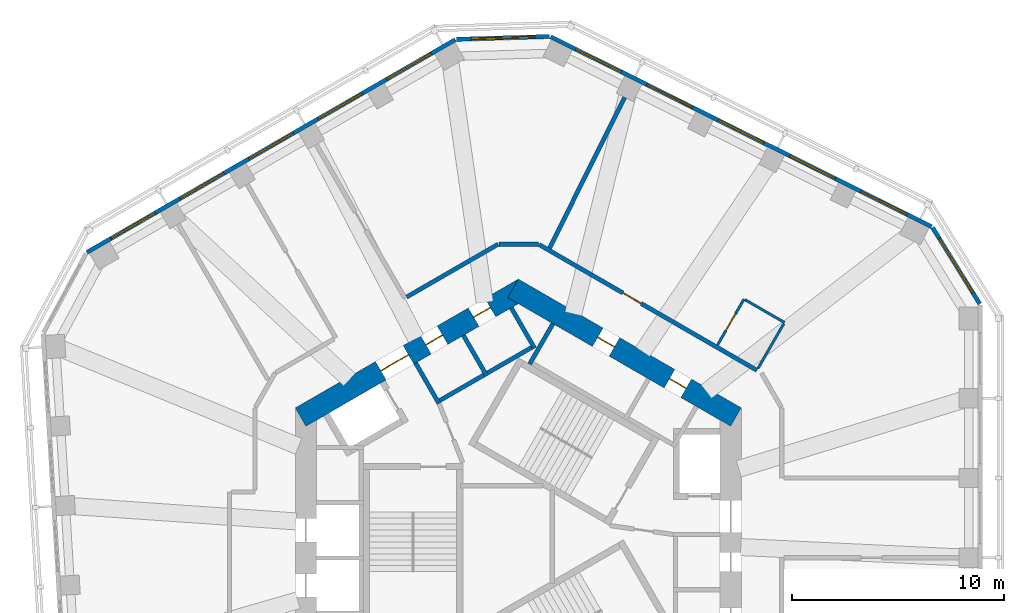
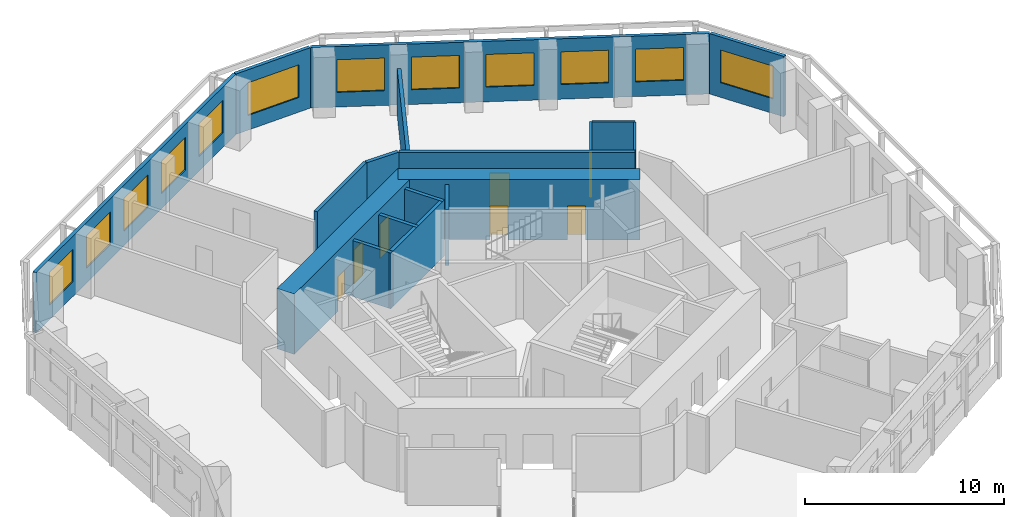
# One storey, part 7 of 10: 18 walls, 12 windows, 7 doors, 19 openings.
"""IFC4 building model written with IfcOpenShell, lengths in metres."""

from ifc_helpers import new_model, si_unit, direction, frame, frame_2d, origin, place, context, subcontext, project, spatial, rectangle, extrude, material, layer, layer_set, type_object, element, fill, save


model = new_model("IFC4")

# Units and contexts
model_context = context("Model", 3, precision=1e-05, world=origin(), true_north=direction((0.0, 1.0)))
body_context = subcontext(model_context, "Body", "Model", "MODEL_VIEW")
ifc_project = project(units=[si_unit("LENGTHUNIT", "METRE"), si_unit("AREAUNIT", "SQUARE_METRE"), si_unit("VOLUMEUNIT", "CUBIC_METRE"), si_unit("PLANEANGLEUNIT", "RADIAN"), si_unit("MASSUNIT", "GRAM", prefix="KILO")], contexts=[model_context])

# Site, building, storey
site_placement = place(None, origin())
site = spatial("IfcSite", under=ifc_project, at=site_placement, CompositionType="ELEMENT")
building_placement = place(site_placement, origin())
building = spatial("IfcBuilding", under=site, at=building_placement, Name="Vanh Sen Convention Tower", CompositionType="ELEMENT")
storey_placement = place(building_placement, frame((0.0, 0.0, 191.0)))
storey = spatial("IfcBuildingStorey", under=building, at=storey_placement, Name="L47", CompositionType="ELEMENT", Elevation=191.0)

# Wall, opening, door
ifc_material_1 = material(Name="Moisture-resistant gypsum board on steel studs", Category="steel")
ifc_layer_1 = layer(ifc_material_1, 0.1201171875)
ifc_layer_set_1 = layer_set([ifc_layer_1], Name="Moisture-resistant gypsum board on steel studs")
wall_type_1 = type_object("IfcWallType", Name="Bathroom partition 120", PredefinedType="PARTITIONING", material=ifc_layer_set_1)
wall_1_placement = place(storey_placement, frame((9.378173828125, 9.019287109375, 0.0), z_axis=(0.0, 0.0, 1.0), x_axis=(0.500004234368, 0.866022959057, 0.0)))
wall_1 = element("IfcWall", 1, at=wall_1_placement, inside=storey, type_object=wall_type_1, Name="Bathroom partition 120", PredefinedType="PARTITIONING", context=body_context, shape_type="SweptSolid", body=[
    extrude(rectangle(XDim=2.5, YDim=0.1201171875, at=frame_2d((1.25, 0.0))), origin(), (0.0, 0.0, 1.0), 3.419921875),
])
opening_1_placement = place(wall_1_placement, frame((0.800048828125, 0.0, 0.0)))
opening_1 = element("IfcOpeningElement", 2, at=opening_1_placement, cuts=wall_1, Name="Opening D47102", PredefinedType="OPENING", context=body_context, shape_type="SweptSolid", body=[
    extrude(rectangle(XDim=0.89990234375, YDim=2.10009765625, at=frame_2d((0.449951171875, 1.050048828125))), frame((0.0, 0.070068359375, 0.0), z_axis=(0.0, -1.0, 0.0), x_axis=(1.0, 0.0, 0.0)), (0.0, 0.0, 1.0), 0.14013671875),
])
ifc_material_2 = material(Name="Laminate door in steel frame", Category="steel")
door_type_1 = type_object("IfcDoorType", Name="Room internal door 900", OperationType="SINGLE_SWING_LEFT", PredefinedType="DOOR", material=ifc_material_2)
door_1_placement = place(opening_1_placement, origin())
door_1 = element("IfcDoor", 3, at=door_1_placement, inside=storey, type_object=door_type_1, Name="Internal room door D47102", OperationType="SINGLE_SWING_LEFT", OverallHeight=2.10009765625, OverallWidth=0.89990234375, PredefinedType="DOOR", context=body_context, shape_type="SweptSolid", body=[
    extrude(rectangle(XDim=0.89990234375, YDim=2.10009765625, at=frame_2d((0.449951171875, 1.050048828125))), frame((0.0, 0.02490234375, 0.0), z_axis=(0.0, -1.0, 0.0), x_axis=(1.0, 0.0, 0.0)), (0.0, 0.0, 1.0), 0.050048828125),
])
fill(opening_1, door_1)

# Walls
wall_2_placement = place(storey_placement, frame((10.68017578125, 11.154296875, 0.0), z_axis=(0.0, 0.0, 1.0), x_axis=(0.86600889856, -0.500028586798, 0.0)))
element("IfcWall", 4, at=wall_2_placement, inside=storey, type_object=wall_type_1, Name="Bathroom partition 120", PredefinedType="PARTITIONING", context=body_context, shape_type="SweptSolid", body=[
    extrude(rectangle(XDim=2.139892578125, YDim=0.1201171875, at=frame_2d((1.06982421875, 0.0))), origin(), (0.0, 0.0, 1.0), 3.419921875),
])
wall_3_placement = place(storey_placement, frame((12.50341796875, 10.0322265625, 0.0), z_axis=(0.0, 0.0, 1.0), x_axis=(-0.500002508028, -0.866023955769, 0.0)))
element("IfcWall", 5, at=wall_3_placement, inside=storey, type_object=wall_type_1, Name="Bathroom partition 120", PredefinedType="PARTITIONING", context=body_context, shape_type="SweptSolid", body=[
    extrude(rectangle(XDim=2.43994140625, YDim=0.1201171875, at=frame_2d((1.219970703125, 0.0))), origin(), (0.0, 0.0, 1.0), 3.419921875),
])

# Wall, openings, doors
ifc_material_3 = material(Name="Concrete C80/95", Category="concrete")
ifc_layer_2 = layer(ifc_material_3, 1.0)
ifc_layer_set_2 = layer_set([ifc_layer_2], Name="Concrete C80/95")
wall_type_2 = type_object("IfcWallType", Name="Core outer wall 1000 C80/95", PredefinedType="SHEAR", material=ifc_layer_set_2)
wall_4_placement = place(storey_placement, frame((10.25, 5.629150390625, 0.0), z_axis=(0.0, 0.0, 1.0), x_axis=(-0.866022616891, 0.50000482701, 0.0)))
wall_4 = element("IfcWall", 6, at=wall_4_placement, inside=storey, type_object=wall_type_2, Name="Core wall face NE L47", PredefinedType="SHEAR", context=body_context, shape_type="SweptSolid", body=[
    extrude(rectangle(XDim=12.12451171875, YDim=1.0, at=frame_2d((6.062255859375, 0.0))), origin(), (0.0, 0.0, 1.0), 3.699951171875),
])
opening_2_placement = place(wall_4_placement, frame((2.712158203125, 0.0, 0.0)))
opening_2 = element("IfcOpeningElement", 7, at=opening_2_placement, cuts=wall_4, Name="Opening D47012", PredefinedType="OPENING", context=body_context, shape_type="SweptSolid", body=[
    extrude(rectangle(XDim=0.89990234375, YDim=2.10009765625, at=frame_2d((0.449951171875, 1.050048828125))), frame((0.0, 0.510009765625, 0.0), z_axis=(0.0, -1.0, 0.0), x_axis=(1.0, 0.0, 0.0)), (0.0, 0.0, 1.0), 1.02001953125),
])
opening_3_placement = place(wall_4_placement, frame((6.6123046875, 0.0, 0.0)))
opening_3 = element("IfcOpeningElement", 8, at=opening_3_placement, cuts=wall_4, Name="Opening D47013", PredefinedType="OPENING", context=body_context, shape_type="SweptSolid", body=[
    extrude(rectangle(XDim=0.89990234375, YDim=2.10009765625, at=frame_2d((0.449951171875, 1.050048828125))), frame((0.0, 0.510009765625, 0.0), z_axis=(0.0, -1.0, 0.0), x_axis=(1.0, 0.0, 0.0)), (0.0, 0.0, 1.0), 1.02001953125),
])
ifc_material_4 = material(Name="Steel S355", Category="steel")
door_type_2 = type_object("IfcDoorType", Name="Plant door 900", OperationType="SINGLE_SWING_LEFT", PredefinedType="DOOR", material=ifc_material_4)
door_2_placement = place(opening_2_placement, origin())
door_2 = element("IfcDoor", 9, at=door_2_placement, inside=storey, type_object=door_type_2, Name="Plant door D47012", OperationType="SINGLE_SWING_LEFT", OverallHeight=2.10009765625, OverallWidth=0.89990234375, PredefinedType="DOOR", context=body_context, shape_type="SweptSolid", body=[
    extrude(rectangle(XDim=0.89990234375, YDim=2.10009765625, at=frame_2d((0.449951171875, 1.050048828125))), frame((0.0, 0.02490234375, 0.0), z_axis=(0.0, -1.0, 0.0), x_axis=(1.0, 0.0, 0.0)), (0.0, 0.0, 1.0), 0.050048828125),
])
fill(opening_2, door_2)
door_3_placement = place(opening_3_placement, origin())
door_3 = element("IfcDoor", 10, at=door_3_placement, inside=storey, type_object=door_type_2, Name="Plant door D47013", OperationType="SINGLE_SWING_LEFT", OverallHeight=2.10009765625, OverallWidth=0.89990234375, PredefinedType="DOOR", context=body_context, shape_type="SweptSolid", body=[
    extrude(rectangle(XDim=0.89990234375, YDim=2.10009765625, at=frame_2d((0.449951171875, 1.050048828125))), frame((0.0, 0.02490234375, 0.0), z_axis=(0.0, -1.0, 0.0), x_axis=(1.0, 0.0, 0.0)), (0.0, 0.0, 1.0), 0.050048828125),
])
fill(opening_3, door_3)

wall_5_placement = place(storey_placement, frame((0.25, 11.69140625, 0.0), z_axis=(0.0, 0.0, 1.0), x_axis=(-0.866022616891, -0.50000482701, 0.0)))
wall_5 = element("IfcWall", 11, at=wall_5_placement, inside=storey, type_object=wall_type_2, Name="Core wall face NW L47", PredefinedType="SHEAR", context=body_context, shape_type="SweptSolid", body=[
    extrude(rectangle(XDim=12.12451171875, YDim=1.0, at=frame_2d((6.062255859375, 0.0))), origin(), (0.0, 0.0, 1.0), 3.699951171875),
])
opening_4_placement = place(wall_5_placement, frame((6.26220703125, 0.0, 0.0)))
opening_4 = element("IfcOpeningElement", 12, at=opening_4_placement, cuts=wall_5, Name="Opening D47002", PredefinedType="OPENING", context=body_context, shape_type="SweptSolid", body=[
    extrude(rectangle(XDim=1.5, YDim=2.10009765625, at=frame_2d((0.75, 1.050048828125))), frame((0.0, 0.510009765625, 0.0), z_axis=(0.0, -1.0, 0.0), x_axis=(1.0, 0.0, 0.0)), (0.0, 0.0, 1.0), 1.02001953125),
])
opening_5_placement = place(wall_5_placement, frame((1.812255859375, 0.0, 0.0)))
opening_5 = element("IfcOpeningElement", 13, at=opening_5_placement, cuts=wall_5, Name="Opening D47014", PredefinedType="OPENING", context=body_context, shape_type="SweptSolid", body=[
    extrude(rectangle(XDim=0.89990234375, YDim=2.10009765625, at=frame_2d((0.449951171875, 1.050048828125))), frame((0.0, 0.510009765625, 0.0), z_axis=(0.0, -1.0, 0.0), x_axis=(1.0, 0.0, 0.0)), (0.0, 0.0, 1.0), 1.02001953125),
])
opening_6_placement = place(wall_5_placement, frame((4.412109375, 0.0, 0.0)))
opening_6 = element("IfcOpeningElement", 14, at=opening_6_placement, cuts=wall_5, Name="Opening D47015", PredefinedType="OPENING", context=body_context, shape_type="SweptSolid", body=[
    extrude(rectangle(XDim=0.89990234375, YDim=2.10009765625, at=frame_2d((0.449951171875, 1.050048828125))), frame((0.0, 0.510009765625, 0.0), z_axis=(0.0, -1.0, 0.0), x_axis=(1.0, 0.0, 0.0)), (0.0, 0.0, 1.0), 1.02001953125),
])
door_4_placement = place(opening_5_placement, origin())
door_4 = element("IfcDoor", 15, at=door_4_placement, inside=storey, type_object=door_type_2, Name="Plant door D47014", OperationType="SINGLE_SWING_LEFT", OverallHeight=2.10009765625, OverallWidth=0.89990234375, PredefinedType="DOOR", context=body_context, shape_type="SweptSolid", body=[
    extrude(rectangle(XDim=0.89990234375, YDim=2.10009765625, at=frame_2d((0.449951171875, 1.050048828125))), frame((0.0, 0.02490234375, 0.0), z_axis=(0.0, -1.0, 0.0), x_axis=(1.0, 0.0, 0.0)), (0.0, 0.0, 1.0), 0.050048828125),
])
fill(opening_5, door_4)
door_5_placement = place(opening_6_placement, origin())
door_5 = element("IfcDoor", 16, at=door_5_placement, inside=storey, type_object=door_type_2, Name="Plant door D47015", OperationType="SINGLE_SWING_LEFT", OverallHeight=2.10009765625, OverallWidth=0.89990234375, PredefinedType="DOOR", context=body_context, shape_type="SweptSolid", body=[
    extrude(rectangle(XDim=0.89990234375, YDim=2.10009765625, at=frame_2d((0.449951171875, 1.050048828125))), frame((0.0, 0.02490234375, 0.0), z_axis=(0.0, -1.0, 0.0), x_axis=(1.0, 0.0, 0.0)), (0.0, 0.0, 1.0), 0.050048828125),
])
fill(opening_6, door_5)
door_type_3 = type_object("IfcDoorType", Name="Stair lobby door 1500", OperationType="DOUBLE_DOOR_SINGLE_SWING", PredefinedType="DOOR", material=ifc_material_4)
door_6_placement = place(opening_4_placement, origin())
door_6 = element("IfcDoor", 17, at=door_6_placement, inside=storey, type_object=door_type_3, Name="Stair lobby door D47002", OperationType="DOUBLE_DOOR_SINGLE_SWING", OverallHeight=2.10009765625, OverallWidth=1.5, PredefinedType="DOOR", context=body_context, shape_type="SweptSolid", body=[
    extrude(rectangle(XDim=1.5, YDim=2.10009765625, at=frame_2d((0.75, 1.050048828125))), frame((0.0, 0.02490234375, 0.0), z_axis=(0.0, -1.0, 0.0), x_axis=(1.0, 0.0, 0.0)), (0.0, 0.0, 1.0), 0.050048828125),
])
fill(opening_4, door_6)

# Walls
ifc_material_5 = material(Name="Gypsum board on steel studs with mineral wool", Category="steel")
ifc_layer_3 = layer(ifc_material_5, 0.199951171875)
ifc_layer_set_3 = layer_set([ifc_layer_3], Name="Gypsum board on steel studs with mineral wool")
wall_type_3 = type_object("IfcWallType", Name="Corridor partition wall 200", PredefinedType="PARTITIONING", material=ifc_layer_set_3)
wall_6_placement = place(storey_placement, frame((-0.949951171875, 13.769775390625, 0.0), z_axis=(0.0, 0.0, 1.0), x_axis=(-0.866036689987, -0.499980451214, 0.0)))
element("IfcWall", 18, at=wall_6_placement, inside=storey, type_object=wall_type_3, Name="Corridor partition wall 200", PredefinedType="PARTITIONING", context=body_context, shape_type="SweptSolid", body=[
    extrude(rectangle(XDim=4.969482421875, YDim=0.199951171875, at=frame_2d((2.48486328125, 0.0))), origin(), (0.0, 0.0, 1.0), 3.419921875),
])
wall_7_placement = place(storey_placement, frame((0.949951171875, 13.769775390625, 0.0), z_axis=(0.0, 0.0, 1.0), x_axis=(-1.0, 0.0, 0.0)))
element("IfcWall", 19, at=wall_7_placement, inside=storey, type_object=wall_type_3, Name="Corridor partition wall 200", PredefinedType="PARTITIONING", context=body_context, shape_type="SweptSolid", body=[
    extrude(rectangle(XDim=1.85986328125, YDim=0.199951171875, at=frame_2d((0.929931640625, 0.0))), origin(), (0.0, 0.0, 1.0), 3.419921875),
])

# Wall, opening, door
wall_8_placement = place(storey_placement, frame((11.2333984375, 7.83251953125, 0.0), z_axis=(0.0, 0.0, 1.0), x_axis=(-0.866021713988, 0.50000639086, 0.0)))
wall_8 = element("IfcWall", 20, at=wall_8_placement, inside=storey, type_object=wall_type_3, Name="Corridor partition wall 200", PredefinedType="PARTITIONING", context=body_context, shape_type="SweptSolid", body=[
    extrude(rectangle(XDim=11.834228515625, YDim=0.199951171875, at=frame_2d((5.9169921875, 0.0))), origin(), (0.0, 0.0, 1.0), 3.419921875),
])
opening_7_placement = place(wall_8_placement, frame((6.2880859375, 0.0, 0.0)))
opening_7 = element("IfcOpeningElement", 21, at=opening_7_placement, cuts=wall_8, Name="Opening D47101", PredefinedType="OPENING", context=body_context, shape_type="SweptSolid", body=[
    extrude(rectangle(XDim=1.0, YDim=2.10009765625, at=frame_2d((0.5, 1.050048828125))), frame((0.0, 0.10986328125, 0.0), z_axis=(0.0, -1.0, 0.0), x_axis=(1.0, 0.0, 0.0)), (0.0, 0.0, 1.0), 0.219970703125),
])
ifc_material_6 = material(Name="Glazed fire door in steel frame", Category="steel")
door_type_4 = type_object("IfcDoorType", Name="Tenant entrance door 1000", OperationType="SINGLE_SWING_LEFT", PredefinedType="DOOR", material=ifc_material_6)
door_7_placement = place(opening_7_placement, origin())
door_7 = element("IfcDoor", 22, at=door_7_placement, inside=storey, type_object=door_type_4, Name="Tenant suite entrance door D47101", OperationType="SINGLE_SWING_LEFT", OverallHeight=2.10009765625, OverallWidth=1.0, PredefinedType="DOOR", context=body_context, shape_type="SweptSolid", body=[
    extrude(rectangle(XDim=1.0, YDim=2.10009765625, at=frame_2d((0.5, 1.050048828125))), frame((0.0, 0.02490234375, 0.0), z_axis=(0.0, -1.0, 0.0), x_axis=(1.0, 0.0, 0.0)), (0.0, 0.0, 1.0), 0.050048828125),
])
fill(opening_7, door_7)

# Wall, opening, window
ifc_material_7 = material(Name="Insulated lightweight infill wall")
ifc_layer_4 = layer(ifc_material_7, 0.199951171875)
ifc_layer_set_4 = layer_set([ifc_layer_4], Name="Insulated lightweight infill wall")
wall_type_4 = type_object("IfcWallType", Name="External wall 200", PredefinedType="STANDARD", material=ifc_layer_set_4)
wall_9_placement = place(storey_placement, frame((21.735107421875, 10.9580078125, 0.0), z_axis=(0.0, 0.0, 1.0), x_axis=(-0.526213807775, 0.850352296702, 0.0)))
wall_9 = element("IfcWall", 23, at=wall_9_placement, inside=storey, type_object=wall_type_4, Name="External wall CH1 L47", PredefinedType="STANDARD", context=body_context, shape_type="SweptSolid", body=[
    extrude(rectangle(XDim=4.23828125, YDim=0.199951171875, at=frame_2d((2.119140625, 0.0))), origin(), (0.0, 0.0, 1.0), 3.699951171875),
])
opening_8_placement = place(wall_9_placement, frame((0.619140625, 0.0, 0.89990234375)))
opening_8 = element("IfcOpeningElement", 24, at=opening_8_placement, cuts=wall_9, Name="Opening WO2-CH11", PredefinedType="OPENING", context=body_context, shape_type="SweptSolid", body=[
    extrude(rectangle(XDim=3.0, YDim=2.0, at=frame_2d((1.5, 1.0))), frame((0.0, 0.10986328125, 0.0), z_axis=(0.0, -1.0, 0.0), x_axis=(1.0, 0.0, 0.0)), (0.0, 0.0, 1.0), 0.219970703125),
])
ifc_material_8 = material(Name="Aluminium frame with clear low-emissivity glass", Category="aluminium")
window_type_1 = type_object("IfcWindowType", Name="Office window 3000 x 2000", PartitioningType="SINGLE_PANEL", PredefinedType="WINDOW", material=ifc_material_8)
window_1_placement = place(opening_8_placement, origin())
window_1 = element("IfcWindow", 25, at=window_1_placement, inside=storey, type_object=window_type_1, Name="Window WO2-CH11", OverallHeight=2.0, OverallWidth=3.0, PartitioningType="SINGLE_PANEL", PredefinedType="WINDOW", context=body_context, shape_type="SweptSolid", body=[
    extrude(rectangle(XDim=3.0, YDim=2.0, at=frame_2d((1.5, 1.0))), frame((0.0, 0.030029296875, 0.0), z_axis=(0.0, -1.0, 0.0), x_axis=(1.0, 0.0, 0.0)), (0.0, 0.0, 1.0), 0.06005859375),
])
fill(opening_8, window_1)

# Wall, openings, windows
wall_10_placement = place(storey_placement, frame((19.46435546875, 14.598876953125, 0.0), z_axis=(0.0, 0.0, 1.0), x_axis=(-0.894935755043, 0.446195018289, 0.0)))
wall_10 = element("IfcWall", 26, at=wall_10_placement, inside=storey, type_object=wall_type_4, Name="External wall NE L47", PredefinedType="STANDARD", context=body_context, shape_type="SweptSolid", body=[
    extrude(rectangle(XDim=20.043701171875, YDim=0.199951171875, at=frame_2d((10.02197265625, 0.0))), origin(), (0.0, 0.0, 1.0), 3.699951171875),
])
opening_9_placement = place(wall_10_placement, frame((1.31298828125, 0.0, 0.89990234375)))
opening_9 = element("IfcOpeningElement", 27, at=opening_9_placement, cuts=wall_10, Name="Opening WO1-NE1", PredefinedType="OPENING", context=body_context, shape_type="SweptSolid", body=[
    extrude(rectangle(XDim=2.39990234375, YDim=2.0, at=frame_2d((1.199951171875, 1.0))), frame((0.0, 0.10986328125, 0.0), z_axis=(0.0, -1.0, 0.0), x_axis=(1.0, 0.0, 0.0)), (0.0, 0.0, 1.0), 0.219970703125),
])
opening_10_placement = place(wall_10_placement, frame((5.06689453125, 0.0, 0.89990234375)))
opening_10 = element("IfcOpeningElement", 28, at=opening_10_placement, cuts=wall_10, Name="Opening WO1-NE2", PredefinedType="OPENING", context=body_context, shape_type="SweptSolid", body=[
    extrude(rectangle(XDim=2.39990234375, YDim=2.0, at=frame_2d((1.199951171875, 1.0))), frame((0.0, 0.10986328125, 0.0), z_axis=(0.0, -1.0, 0.0), x_axis=(1.0, 0.0, 0.0)), (0.0, 0.0, 1.0), 0.219970703125),
])
opening_11_placement = place(wall_10_placement, frame((8.821044921875, 0.0, 0.89990234375)))
opening_11 = element("IfcOpeningElement", 29, at=opening_11_placement, cuts=wall_10, Name="Opening WO1-NE3", PredefinedType="OPENING", context=body_context, shape_type="SweptSolid", body=[
    extrude(rectangle(XDim=2.39990234375, YDim=2.0, at=frame_2d((1.199951171875, 1.0))), frame((0.0, 0.10986328125, 0.0), z_axis=(0.0, -1.0, 0.0), x_axis=(1.0, 0.0, 0.0)), (0.0, 0.0, 1.0), 0.219970703125),
])
opening_12_placement = place(wall_10_placement, frame((12.5751953125, 0.0, 0.89990234375)))
opening_12 = element("IfcOpeningElement", 30, at=opening_12_placement, cuts=wall_10, Name="Opening WO1-NE4", PredefinedType="OPENING", context=body_context, shape_type="SweptSolid", body=[
    extrude(rectangle(XDim=2.39990234375, YDim=2.0, at=frame_2d((1.199951171875, 1.0))), frame((0.0, 0.10986328125, 0.0), z_axis=(0.0, -1.0, 0.0), x_axis=(1.0, 0.0, 0.0)), (0.0, 0.0, 1.0), 0.219970703125),
])
opening_13_placement = place(wall_10_placement, frame((16.329345703125, 0.0, 0.89990234375)))
opening_13 = element("IfcOpeningElement", 31, at=opening_13_placement, cuts=wall_10, Name="Opening WO1-NE5", PredefinedType="OPENING", context=body_context, shape_type="SweptSolid", body=[
    extrude(rectangle(XDim=2.39990234375, YDim=2.0, at=frame_2d((1.199951171875, 1.0))), frame((0.0, 0.10986328125, 0.0), z_axis=(0.0, -1.0, 0.0), x_axis=(1.0, 0.0, 0.0)), (0.0, 0.0, 1.0), 0.219970703125),
])
window_type_2 = type_object("IfcWindowType", Name="Office window 2400 x 2000", PartitioningType="SINGLE_PANEL", PredefinedType="WINDOW", material=ifc_material_8)
window_2_placement = place(opening_9_placement, origin())
window_2 = element("IfcWindow", 32, at=window_2_placement, inside=storey, type_object=window_type_2, Name="Window WO1-NE1", OverallHeight=2.0, OverallWidth=2.39990234375, PartitioningType="SINGLE_PANEL", PredefinedType="WINDOW", context=body_context, shape_type="SweptSolid", body=[
    extrude(rectangle(XDim=2.39990234375, YDim=2.0, at=frame_2d((1.199951171875, 1.0))), frame((0.0, 0.030029296875, 0.0), z_axis=(0.0, -1.0, 0.0), x_axis=(1.0, 0.0, 0.0)), (0.0, 0.0, 1.0), 0.06005859375),
])
fill(opening_9, window_2)
window_3_placement = place(opening_10_placement, origin())
window_3 = element("IfcWindow", 33, at=window_3_placement, inside=storey, type_object=window_type_2, Name="Window WO1-NE2", OverallHeight=2.0, OverallWidth=2.39990234375, PartitioningType="SINGLE_PANEL", PredefinedType="WINDOW", context=body_context, shape_type="SweptSolid", body=[
    extrude(rectangle(XDim=2.39990234375, YDim=2.0, at=frame_2d((1.199951171875, 1.0))), frame((0.0, 0.030029296875, 0.0), z_axis=(0.0, -1.0, 0.0), x_axis=(1.0, 0.0, 0.0)), (0.0, 0.0, 1.0), 0.06005859375),
])
fill(opening_10, window_3)
window_4_placement = place(opening_11_placement, origin())
window_4 = element("IfcWindow", 34, at=window_4_placement, inside=storey, type_object=window_type_2, Name="Window WO1-NE3", OverallHeight=2.0, OverallWidth=2.39990234375, PartitioningType="SINGLE_PANEL", PredefinedType="WINDOW", context=body_context, shape_type="SweptSolid", body=[
    extrude(rectangle(XDim=2.39990234375, YDim=2.0, at=frame_2d((1.199951171875, 1.0))), frame((0.0, 0.030029296875, 0.0), z_axis=(0.0, -1.0, 0.0), x_axis=(1.0, 0.0, 0.0)), (0.0, 0.0, 1.0), 0.06005859375),
])
fill(opening_11, window_4)
window_5_placement = place(opening_12_placement, origin())
window_5 = element("IfcWindow", 35, at=window_5_placement, inside=storey, type_object=window_type_2, Name="Window WO1-NE4", OverallHeight=2.0, OverallWidth=2.39990234375, PartitioningType="SINGLE_PANEL", PredefinedType="WINDOW", context=body_context, shape_type="SweptSolid", body=[
    extrude(rectangle(XDim=2.39990234375, YDim=2.0, at=frame_2d((1.199951171875, 1.0))), frame((0.0, 0.030029296875, 0.0), z_axis=(0.0, -1.0, 0.0), x_axis=(1.0, 0.0, 0.0)), (0.0, 0.0, 1.0), 0.06005859375),
])
fill(opening_12, window_5)
window_6_placement = place(opening_13_placement, origin())
window_6 = element("IfcWindow", 36, at=window_6_placement, inside=storey, type_object=window_type_2, Name="Window WO1-NE5", OverallHeight=2.0, OverallWidth=2.39990234375, PartitioningType="SINGLE_PANEL", PredefinedType="WINDOW", context=body_context, shape_type="SweptSolid", body=[
    extrude(rectangle(XDim=2.39990234375, YDim=2.0, at=frame_2d((1.199951171875, 1.0))), frame((0.0, 0.030029296875, 0.0), z_axis=(0.0, -1.0, 0.0), x_axis=(1.0, 0.0, 0.0)), (0.0, 0.0, 1.0), 0.06005859375),
])
fill(opening_13, window_6)

# Wall, opening, window
wall_11_placement = place(storey_placement, frame((1.478759765625, 23.552734375, 0.0), z_axis=(0.0, 0.0, 1.0), x_axis=(-0.999534786117, -0.03049936625, 0.0)))
wall_11 = element("IfcWall", 37, at=wall_11_placement, inside=storey, type_object=wall_type_4, Name="External wall CH2 L47", PredefinedType="STANDARD", context=body_context, shape_type="SweptSolid", body=[
    extrude(rectangle(XDim=4.39453125, YDim=0.199951171875, at=frame_2d((2.197265625, 0.0))), origin(), (0.0, 0.0, 1.0), 3.699951171875),
])
opening_14_placement = place(wall_11_placement, frame((0.697509765625, 0.0, 0.89990234375)))
opening_14 = element("IfcOpeningElement", 38, at=opening_14_placement, cuts=wall_11, Name="Opening WO2-CH21", PredefinedType="OPENING", context=body_context, shape_type="SweptSolid", body=[
    extrude(rectangle(XDim=3.0, YDim=2.0, at=frame_2d((1.5, 1.0))), frame((0.0, 0.10986328125, 0.0), z_axis=(0.0, -1.0, 0.0), x_axis=(1.0, 0.0, 0.0)), (0.0, 0.0, 1.0), 0.219970703125),
])
window_7_placement = place(opening_14_placement, origin())
window_7 = element("IfcWindow", 39, at=window_7_placement, inside=storey, type_object=window_type_1, Name="Window WO2-CH21", OverallHeight=2.0, OverallWidth=3.0, PartitioningType="SINGLE_PANEL", PredefinedType="WINDOW", context=body_context, shape_type="SweptSolid", body=[
    extrude(rectangle(XDim=3.0, YDim=2.0, at=frame_2d((1.5, 1.0))), frame((0.0, 0.030029296875, 0.0), z_axis=(0.0, -1.0, 0.0), x_axis=(1.0, 0.0, 0.0)), (0.0, 0.0, 1.0), 0.06005859375),
])
fill(opening_14, window_7)

# Wall, openings, windows
wall_12_placement = place(storey_placement, frame((-2.9609375, 23.4052734375, 0.0), z_axis=(0.0, 0.0, 1.0), x_axis=(-0.866023315909, -0.500003616288, 0.0)))
wall_12 = element("IfcWall", 40, at=wall_12_placement, inside=storey, type_object=wall_type_4, Name="External wall NW L47", PredefinedType="STANDARD", context=body_context, shape_type="SweptSolid", body=[
    extrude(rectangle(XDim=20.043701171875, YDim=0.199951171875, at=frame_2d((10.02197265625, 0.0))), origin(), (0.0, 0.0, 1.0), 3.699951171875),
])
opening_15_placement = place(wall_12_placement, frame((1.314453125, 0.0, 0.89990234375)))
opening_15 = element("IfcOpeningElement", 41, at=opening_15_placement, cuts=wall_12, Name="Opening WO1-NW1", PredefinedType="OPENING", context=body_context, shape_type="SweptSolid", body=[
    extrude(rectangle(XDim=2.39990234375, YDim=2.0, at=frame_2d((1.199951171875, 1.0))), frame((0.0, 0.10986328125, 0.0), z_axis=(0.0, -1.0, 0.0), x_axis=(1.0, 0.0, 0.0)), (0.0, 0.0, 1.0), 0.219970703125),
])
opening_16_placement = place(wall_12_placement, frame((5.068603515625, 0.0, 0.89990234375)))
opening_16 = element("IfcOpeningElement", 42, at=opening_16_placement, cuts=wall_12, Name="Opening WO1-NW2", PredefinedType="OPENING", context=body_context, shape_type="SweptSolid", body=[
    extrude(rectangle(XDim=2.39990234375, YDim=2.0, at=frame_2d((1.199951171875, 1.0))), frame((0.0, 0.10986328125, 0.0), z_axis=(0.0, -1.0, 0.0), x_axis=(1.0, 0.0, 0.0)), (0.0, 0.0, 1.0), 0.219970703125),
])
opening_17_placement = place(wall_12_placement, frame((8.82275390625, 0.0, 0.89990234375)))
opening_17 = element("IfcOpeningElement", 43, at=opening_17_placement, cuts=wall_12, Name="Opening WO1-NW3", PredefinedType="OPENING", context=body_context, shape_type="SweptSolid", body=[
    extrude(rectangle(XDim=2.39990234375, YDim=2.0, at=frame_2d((1.199951171875, 1.0))), frame((0.0, 0.10986328125, 0.0), z_axis=(0.0, -1.0, 0.0), x_axis=(1.0, 0.0, 0.0)), (0.0, 0.0, 1.0), 0.219970703125),
])
opening_18_placement = place(wall_12_placement, frame((12.576904296875, 0.0, 0.89990234375)))
opening_18 = element("IfcOpeningElement", 44, at=opening_18_placement, cuts=wall_12, Name="Opening WO1-NW4", PredefinedType="OPENING", context=body_context, shape_type="SweptSolid", body=[
    extrude(rectangle(XDim=2.39990234375, YDim=2.0, at=frame_2d((1.199951171875, 1.0))), frame((0.0, 0.10986328125, 0.0), z_axis=(0.0, -1.0, 0.0), x_axis=(1.0, 0.0, 0.0)), (0.0, 0.0, 1.0), 0.219970703125),
])
opening_19_placement = place(wall_12_placement, frame((16.330810546875, 0.0, 0.89990234375)))
opening_19 = element("IfcOpeningElement", 45, at=opening_19_placement, cuts=wall_12, Name="Opening WO1-NW5", PredefinedType="OPENING", context=body_context, shape_type="SweptSolid", body=[
    extrude(rectangle(XDim=2.39990234375, YDim=2.0, at=frame_2d((1.199951171875, 1.0))), frame((0.0, 0.10986328125, 0.0), z_axis=(0.0, -1.0, 0.0), x_axis=(1.0, 0.0, 0.0)), (0.0, 0.0, 1.0), 0.219970703125),
])
window_8_placement = place(opening_15_placement, origin())
window_8 = element("IfcWindow", 46, at=window_8_placement, inside=storey, type_object=window_type_2, Name="Window WO1-NW1", OverallHeight=2.0, OverallWidth=2.39990234375, PartitioningType="SINGLE_PANEL", PredefinedType="WINDOW", context=body_context, shape_type="SweptSolid", body=[
    extrude(rectangle(XDim=2.39990234375, YDim=2.0, at=frame_2d((1.199951171875, 1.0))), frame((0.0, 0.030029296875, 0.0), z_axis=(0.0, -1.0, 0.0), x_axis=(1.0, 0.0, 0.0)), (0.0, 0.0, 1.0), 0.06005859375),
])
fill(opening_15, window_8)
window_9_placement = place(opening_16_placement, origin())
window_9 = element("IfcWindow", 47, at=window_9_placement, inside=storey, type_object=window_type_2, Name="Window WO1-NW2", OverallHeight=2.0, OverallWidth=2.39990234375, PartitioningType="SINGLE_PANEL", PredefinedType="WINDOW", context=body_context, shape_type="SweptSolid", body=[
    extrude(rectangle(XDim=2.39990234375, YDim=2.0, at=frame_2d((1.199951171875, 1.0))), frame((0.0, 0.030029296875, 0.0), z_axis=(0.0, -1.0, 0.0), x_axis=(1.0, 0.0, 0.0)), (0.0, 0.0, 1.0), 0.06005859375),
])
fill(opening_16, window_9)
window_10_placement = place(opening_17_placement, origin())
window_10 = element("IfcWindow", 48, at=window_10_placement, inside=storey, type_object=window_type_2, Name="Window WO1-NW3", OverallHeight=2.0, OverallWidth=2.39990234375, PartitioningType="SINGLE_PANEL", PredefinedType="WINDOW", context=body_context, shape_type="SweptSolid", body=[
    extrude(rectangle(XDim=2.39990234375, YDim=2.0, at=frame_2d((1.199951171875, 1.0))), frame((0.0, 0.030029296875, 0.0), z_axis=(0.0, -1.0, 0.0), x_axis=(1.0, 0.0, 0.0)), (0.0, 0.0, 1.0), 0.06005859375),
])
fill(opening_17, window_10)
window_11_placement = place(opening_18_placement, origin())
window_11 = element("IfcWindow", 49, at=window_11_placement, inside=storey, type_object=window_type_2, Name="Window WO1-NW4", OverallHeight=2.0, OverallWidth=2.39990234375, PartitioningType="SINGLE_PANEL", PredefinedType="WINDOW", context=body_context, shape_type="SweptSolid", body=[
    extrude(rectangle(XDim=2.39990234375, YDim=2.0, at=frame_2d((1.199951171875, 1.0))), frame((0.0, 0.030029296875, 0.0), z_axis=(0.0, -1.0, 0.0), x_axis=(1.0, 0.0, 0.0)), (0.0, 0.0, 1.0), 0.06005859375),
])
fill(opening_18, window_11)
window_12_placement = place(opening_19_placement, origin())
window_12 = element("IfcWindow", 50, at=window_12_placement, inside=storey, type_object=window_type_2, Name="Window WO1-NW5", OverallHeight=2.0, OverallWidth=2.39990234375, PartitioningType="SINGLE_PANEL", PredefinedType="WINDOW", context=body_context, shape_type="SweptSolid", body=[
    extrude(rectangle(XDim=2.39990234375, YDim=2.0, at=frame_2d((1.199951171875, 1.0))), frame((0.0, 0.030029296875, 0.0), z_axis=(0.0, -1.0, 0.0), x_axis=(1.0, 0.0, 0.0)), (0.0, 0.0, 1.0), 0.06005859375),
])
fill(opening_19, window_12)

# Walls
ifc_material_9 = material(Name="Concrete C40/50", Category="concrete")
ifc_layer_5 = layer(ifc_material_9, 0.199951171875)
ifc_layer_set_5 = layer_set([ifc_layer_5], Name="Concrete C40/50")
wall_type_5 = type_object("IfcWallType", Name="Lift shaft wall 200", PredefinedType="PARTITIONING", material=ifc_layer_set_5)
wall_13_placement = place(storey_placement, frame((0.5322265625, 8.1220703125, 0.0), z_axis=(0.0, 0.0, 1.0), x_axis=(0.500077893725, 0.86598042715, 0.0)))
element("IfcWall", 51, at=wall_13_placement, inside=storey, type_object=wall_type_5, Name="Lift shaft wall L47", PredefinedType="PARTITIONING", context=body_context, shape_type="SweptSolid", body=[
    extrude(rectangle(XDim=2.199951171875, YDim=0.199951171875, at=frame_2d((1.10009765625, 0.0))), origin(), (0.0, 0.0, 1.0), 3.419921875),
])
wall_14_placement = place(storey_placement, frame((0.80322265625, 9.008544921875, 0.0), z_axis=(0.0, 0.0, 1.0), x_axis=(-0.866028230842, -0.499995103361, 0.0)))
element("IfcWall", 52, at=wall_14_placement, inside=storey, type_object=wall_type_5, Name="Lift shaft wall L47", PredefinedType="PARTITIONING", context=body_context, shape_type="SweptSolid", body=[
    extrude(rectangle(XDim=5.39990234375, YDim=0.199951171875, at=frame_2d((2.699951171875, 0.0))), origin(), (0.0, 0.0, 1.0), 3.419921875),
])
wall_15_placement = place(storey_placement, frame((0.7666015625, 8.8720703125, 0.0), z_axis=(0.0, 0.0, 1.0), x_axis=(-0.499994660107, 0.866028486751, 0.0)))
element("IfcWall", 53, at=wall_15_placement, inside=storey, type_object=wall_type_5, Name="Lift shaft wall L47", PredefinedType="PARTITIONING", context=body_context, shape_type="SweptSolid", body=[
    extrude(rectangle(XDim=2.19970703125, YDim=0.199951171875, at=frame_2d((1.099853515625, 0.0))), origin(), (0.0, 0.0, 1.0), 3.419921875),
])
for number, where, z_axis, x_axis, name in (
    (54, (-1.48486328125, 7.572021484375, 0.0), (0.0, 0.0, 1.0), (-0.50002983664, 0.866008176907, 0.0), "Lift shaft wall L47"),
    (55, (-3.736572265625, 6.27197265625, 0.0), (0.0, 0.0, 1.0), (-0.50002983664, 0.866008176907, 0.0), "Lift shaft wall L47"),
):
    element("IfcWall", number, at=place(storey_placement, frame(where, z_axis=z_axis, x_axis=x_axis)), inside=storey, type_object=wall_type_5, Name=name, PredefinedType="PARTITIONING", context=body_context, shape_type="SweptSolid", body=[
        extrude(rectangle(XDim=2.199951171875, YDim=0.199951171875, at=frame_2d((1.10009765625, 0.0))), origin(), (0.0, 0.0, 1.0), 3.419921875),
    ])
ifc_layer_6 = layer(ifc_material_5, 0.199951171875)
ifc_layer_set_6 = layer_set([ifc_layer_6], Name="Gypsum board on steel studs with mineral wool")
wall_type_6 = type_object("IfcWallType", Name="Tenant suite wall 200", PredefinedType="PARTITIONING", material=ifc_layer_set_6)
wall_16_placement = place(storey_placement, frame((5.010498046875, 20.68798828125, 0.0), z_axis=(0.0, 0.0, 1.0), x_axis=(-0.446203062394, -0.894931744386, 0.0)))
element("IfcWall", 56, at=wall_16_placement, inside=storey, type_object=wall_type_6, Name="Tenant suite wall 200", PredefinedType="PARTITIONING", context=body_context, shape_type="SweptSolid", body=[
    extrude(rectangle(XDim=7.926513671875, YDim=0.199951171875, at=frame_2d((3.96337890625, 0.0))), origin(), (0.0, 0.0, 1.0), 2.8701171875),
])

save(model, "model.ifc")
